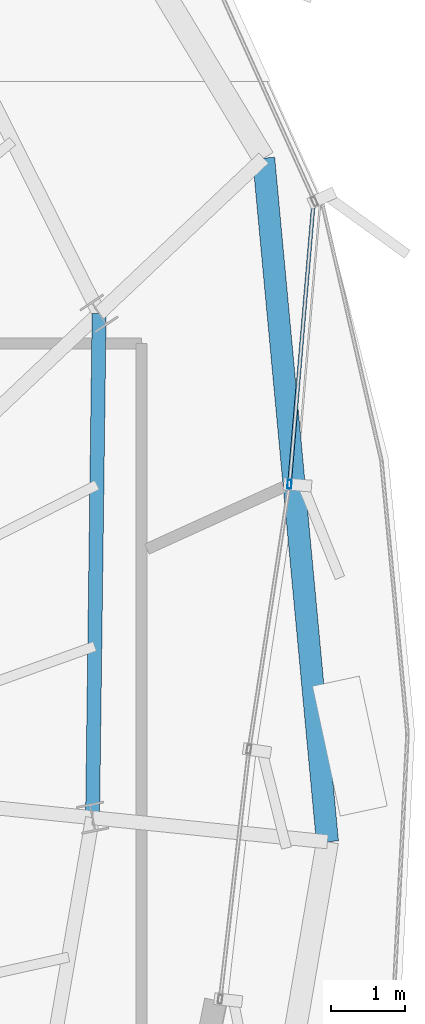
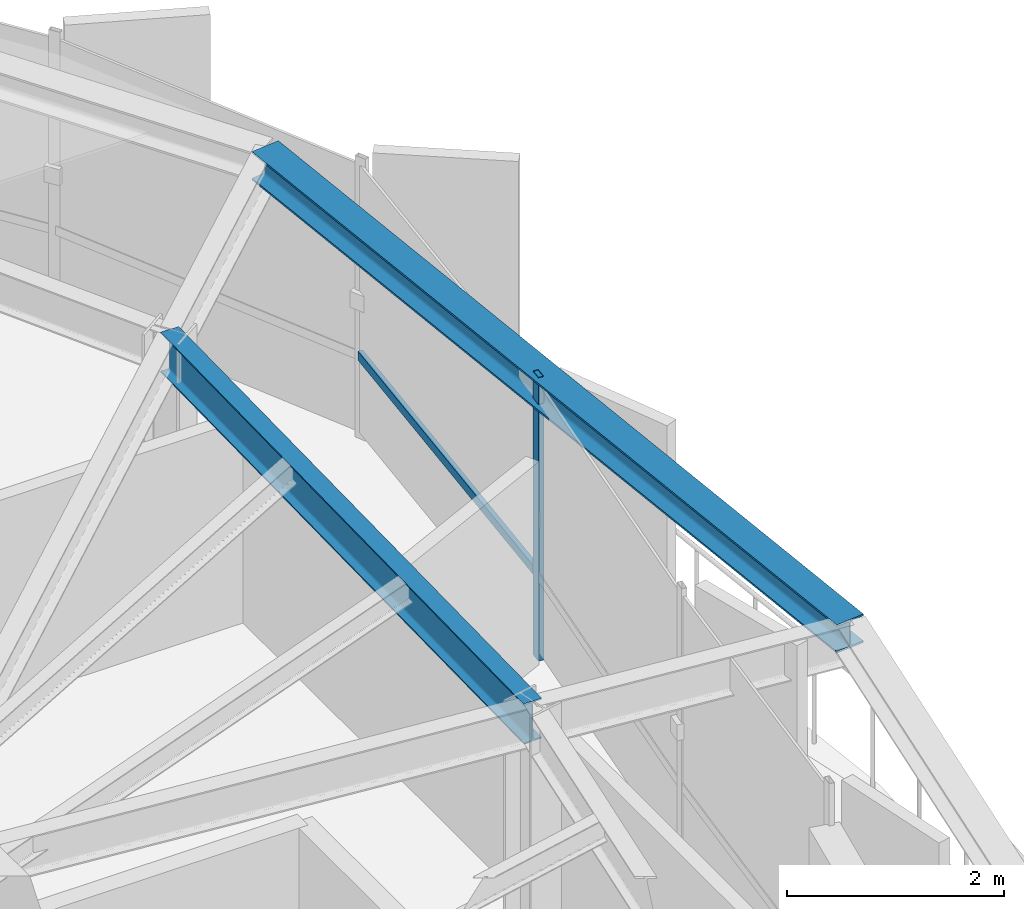
# One storey, part 16 of 31: 2 beams, 2 members, 1 element without a shape of its own.
"""IFC4 building model written with IfcOpenShell, lengths in metres."""

from ifc_helpers import new_model, si_unit, direction, frame, origin, origin_2d, place, context, subcontext, project, spatial, hollow_rectangle, i_section, extrude, source, transform, mapped, material, layer, layer_set, material_profile, profile_set, type_object, element, aggregate, save


model = new_model("IFC4")

# Units and contexts
model_context = context("Model", 3, precision=1e-05, world=origin(), true_north=direction((0.0, 1.0)))
body_context = subcontext(model_context, "Body", "Model", "MODEL_VIEW")
ifc_project = project(units=[si_unit("LENGTHUNIT", "METRE"), si_unit("AREAUNIT", "SQUARE_METRE"), si_unit("VOLUMEUNIT", "CUBIC_METRE"), si_unit("PLANEANGLEUNIT", "RADIAN"), si_unit("MASSUNIT", "GRAM", prefix="KILO"), si_unit("THERMODYNAMICTEMPERATUREUNIT", "KELVIN")], contexts=[model_context])

# Site, building, storey
site_placement = place(None, origin())
site = spatial("IfcSite", under=ifc_project, at=site_placement, CompositionType="ELEMENT")
building_placement = place(site_placement, origin())
building = spatial("IfcBuilding", under=site, at=building_placement, Name="Kethvar Cultural Tower", CompositionType="ELEMENT")
storey_placement = place(building_placement, frame((0.0, 0.0, 300.85009765625)))
storey = spatial("IfcBuildingStorey", under=building, at=storey_placement, Name="L80", CompositionType="ELEMENT", Elevation=300.85009765625)

# Beams
ifc_material_1 = material(Name="Steel S355J2", Category="steel")
ifc_material_profile_1 = material_profile(ifc_material_1, i_section(OverallWidth=0.18994140625, OverallDepth=0.449951171875, WebThickness=0.009521484375, FlangeThickness=0.0146484375, FilletRadius=0.02099609375, at=origin_2d()), Name="Steel S355J2 — IPE450")
ifc_profile_set_1 = profile_set([ifc_material_profile_1], Name="Steel S355J2 — IPE450")
beam_type_1 = type_object("IfcBeamType", Name="BM-IPE450", PredefinedType="BEAM", material=ifc_profile_set_1)
shared_shape_1 = source(origin(), body_context, "Body", "SweptSolid", [
    extrude(i_section(OverallWidth=0.18994140625, OverallDepth=0.449951171875, WebThickness=0.009521484375, FlangeThickness=0.0146484375, FilletRadius=0.02099609375, at=origin_2d()), origin(), (0.0, 0.0, 1.0), 6.834716796875),
])
beam_1_placement = place(storey_placement, frame((61.237060546875, 30.671630859375, 2.9580078125), z_axis=(0.012966437445, 0.999915932216, 0.0), x_axis=(-0.999915932216, 0.012966437445, 0.0)))
element("IfcBeam", 1, at=beam_1_placement, inside=storey, type_object=beam_type_1, Name="L80 Column Ring Tie Beam CR-01", PredefinedType="BEAM", context=body_context, shape_type="MappedRepresentation", body=[
    mapped(shared_shape_1, transform((0.0, 0.0, 0.0), scale=1.0)),
])
ifc_material_profile_2 = material_profile(ifc_material_1, i_section(OverallWidth=0.300048828125, OverallDepth=0.320068359375, WebThickness=0.011474609375, FlangeThickness=0.0205078125, FilletRadius=0.027099609375, at=origin_2d()), Name="Steel S355J2 — HEB320")
ifc_profile_set_2 = profile_set([ifc_material_profile_2], Name="Steel S355J2 — HEB320")
beam_type_2 = type_object("IfcBeamType", Name="BM-SP320", PredefinedType="SPANDREL", material=ifc_profile_set_2)
shared_shape_2 = source(origin(), body_context, "Body", "SweptSolid", [
    extrude(i_section(OverallWidth=0.300048828125, OverallDepth=0.320068359375, WebThickness=0.011474609375, FlangeThickness=0.0205078125, FilletRadius=0.027099609375, at=origin_2d()), origin(), (0.0, 0.0, 1.0), 9.30615234375),
])
beam_2_placement = place(storey_placement, frame((64.42041015625, 30.34521484375, 3.02294921875), z_axis=(-0.092922169409, 0.995673375376, 0.0), x_axis=(-0.995673375376, -0.092922169409, 0.0)))
element("IfcBeam", 2, at=beam_2_placement, inside=storey, type_object=beam_type_2, Name="L80 Perimeter Spandrel Beam SP-01", PredefinedType="SPANDREL", context=body_context, shape_type="MappedRepresentation", body=[
    mapped(shared_shape_2, transform((0.0, 0.0, 0.0), scale=1.0)),
])

# Curtain wall, members
ifc_material_2 = material(Name="Aluminium 6063-T6", Category="aluminium")
ifc_layer = layer(ifc_material_2, 0.179931640625, Name="Aluminium 6063-T6", Category="aluminium")
ifc_layer_set = layer_set([ifc_layer], Name="Aluminium 6063-T6 (180 mm)")
curtain_wall_type = type_object("IfcCurtainWallType", Name="CW-SYS-05-Z56", PredefinedType="NOTDEFINED", material=ifc_layer_set)
curtain_wall_placement = place(storey_placement, origin())
curtain_wall = element("IfcCurtainWall", 3, at=curtain_wall_placement, inside=storey, type_object=curtain_wall_type, Name="L80 Curtain Wall Run 06", PredefinedType="NOTDEFINED")
ifc_material_profile_3 = material_profile(ifc_material_2, hollow_rectangle(XDim=0.054931640625, YDim=0.1201171875, WallThickness=0.00390625, at=origin_2d()), Name="Aluminium 6063-T6 — RHS120x55x4")
ifc_profile_set_3 = profile_set([ifc_material_profile_3], Name="Aluminium 6063-T6 — RHS120x55x4")
member_type_1 = type_object("IfcMemberType", Name="CW-SYS-05-Z56-MUL", PredefinedType="MULLION", material=ifc_profile_set_3)
shared_shape_3 = source(origin(), body_context, "Body", "SweptSolid", [
    extrude(hollow_rectangle(XDim=0.054931640625, YDim=0.1201171875, WallThickness=0.00390625, at=origin_2d()), origin(), (0.0, 0.0, 1.0), 3.184814453125),
])
member_1_placement = place(storey_placement, frame((63.90625, 35.191650390625, 0.0), z_axis=(0.0, 0.0, 1.0), x_axis=(-0.996385437339, 0.084947397011, 0.0)))
member_1 = element("IfcMember", 4, at=member_1_placement, type_object=member_type_1, Name="CW-L80-R06 Mullion 3", PredefinedType="MULLION", context=body_context, shape_type="MappedRepresentation", body=[
    mapped(shared_shape_3, transform((0.0, 0.0, 0.0), scale=1.0)),
])
ifc_material_profile_4 = material_profile(ifc_material_2, hollow_rectangle(XDim=0.050048828125, YDim=0.10009765625, WallThickness=0.00390625, at=origin_2d()), Name="Aluminium 6063-T6 — RHS100x50x4")
ifc_profile_set_4 = profile_set([ifc_material_profile_4], Name="Aluminium 6063-T6 — RHS100x50x4")
member_type_2 = type_object("IfcMemberType", Name="CW-SYS-05-Z56-TRN", PredefinedType="USERDEFINED", material=ifc_profile_set_4)
shared_shape_4 = source(origin(), body_context, "Body", "SweptSolid", [
    extrude(hollow_rectangle(XDim=0.050048828125, YDim=0.10009765625, WallThickness=0.00390625, at=origin_2d()), origin(), (0.0, 0.0, 1.0), 3.817626953125),
])
member_2_placement = place(storey_placement, frame((63.909423828125, 35.231201171875, 0.949951171875), z_axis=(0.084993008781, 0.99638154763, 0.0), x_axis=(-0.99638154763, 0.084993008781, 0.0)))
member_2 = element("IfcMember", 5, at=member_2_placement, type_object=member_type_2, Name="CW-L80-R06 Transom 3", ObjectType="TRANSOM", PredefinedType="USERDEFINED", context=body_context, shape_type="MappedRepresentation", body=[
    mapped(shared_shape_4, transform((0.0, 0.0, 0.0), scale=1.0)),
])
aggregate(curtain_wall, [member_1, member_2])

save(model, "model.ifc")
